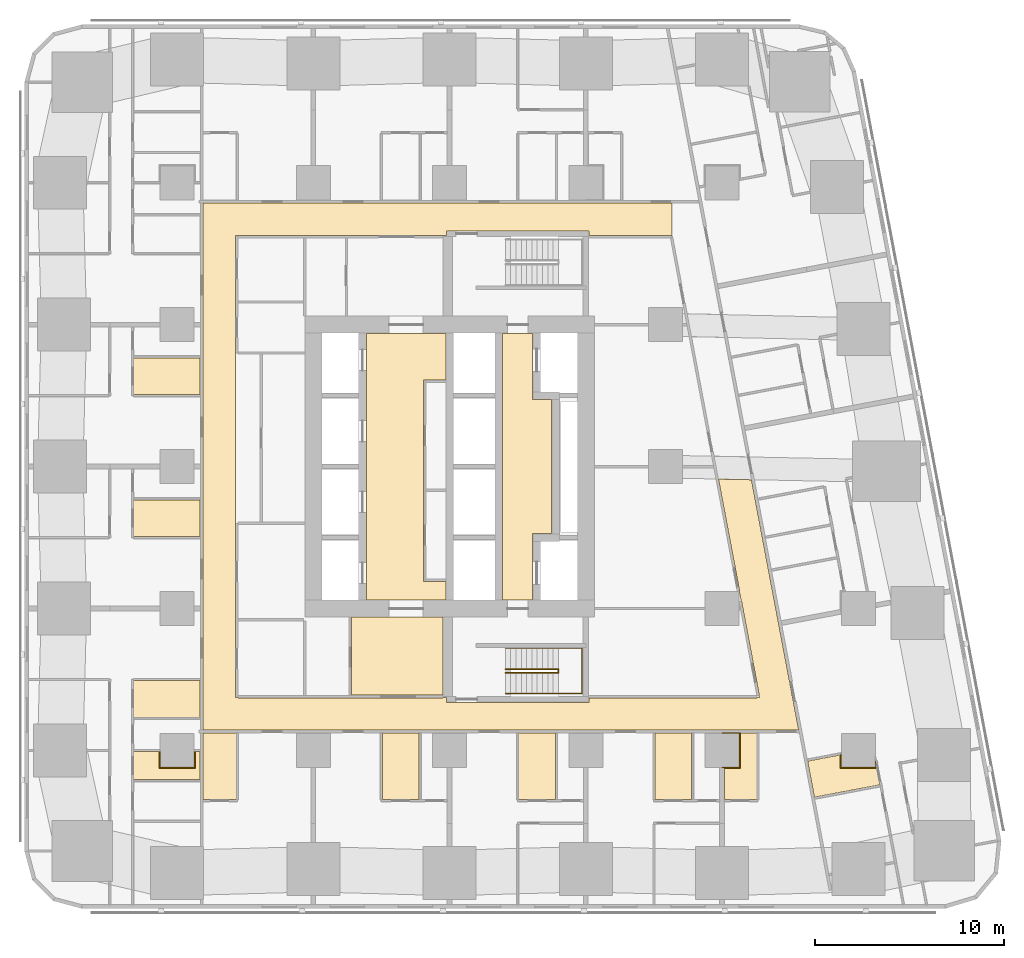
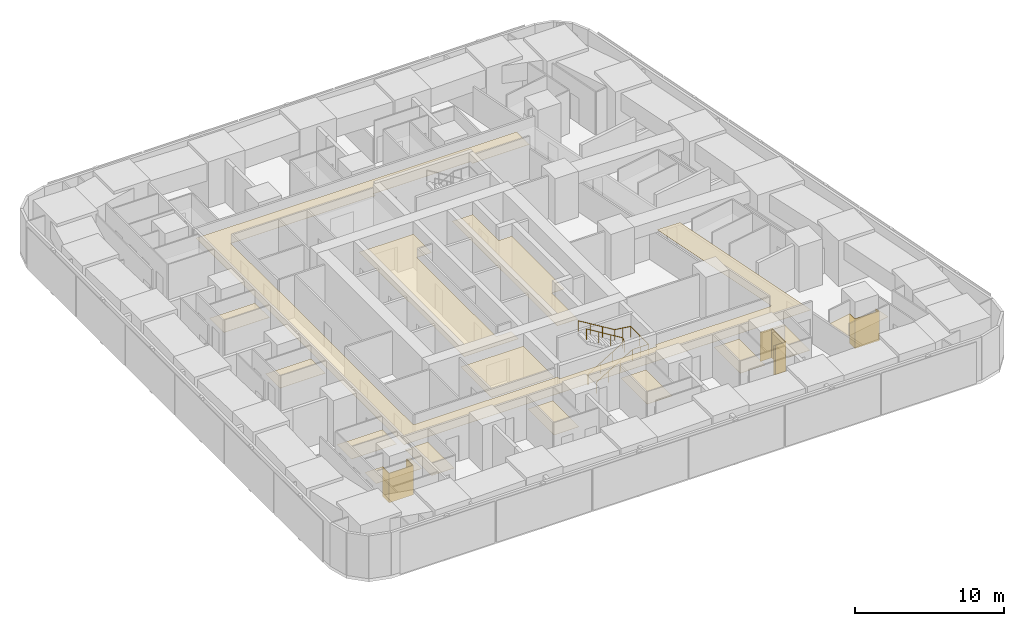
# One storey, part 13 of 15: 17 coverings, 2 railings.
"""IFC4 building model written with IfcOpenShell, lengths in metres."""

from ifc_helpers import new_model, si_unit, direction, frame, origin, origin_2d, place, context, subcontext, project, spatial, polyline, circle, outline, extrude, material, layer, layer_set, type_object, element, save


model = new_model("IFC4")

# Units and contexts
model_context = context("Model", 3, precision=1e-05, world=origin(), true_north=direction((0.0, 1.0)))
body_context = subcontext(model_context, "Body", "Model", "MODEL_VIEW")
ifc_project = project(units=[si_unit("LENGTHUNIT", "METRE"), si_unit("AREAUNIT", "SQUARE_METRE"), si_unit("VOLUMEUNIT", "CUBIC_METRE"), si_unit("PLANEANGLEUNIT", "RADIAN"), si_unit("MASSUNIT", "GRAM", prefix="KILO")], contexts=[model_context])

# Site, building, storey
site_placement = place(None, origin())
site = spatial("IfcSite", under=ifc_project, at=site_placement, CompositionType="ELEMENT")
building_placement = place(site_placement, origin())
building = spatial("IfcBuilding", under=site, at=building_placement, Name="Sheger Commons Tower", CompositionType="ELEMENT")
storey_placement = place(building_placement, frame((0.0, 0.0, 42.5)))
storey = spatial("IfcBuildingStorey", under=building, at=storey_placement, Name="L10", CompositionType="ELEMENT", Elevation=42.5)

# Railings
ifc_material_1 = material(Name="Steel handrail, black powder-coated", Category="steel")
railing_type = type_object("IfcRailingType", Name="HANDRAIL 900", PredefinedType="HANDRAIL", material=ifc_material_1)
railing_1_placement = place(storey_placement, frame((24.550048828125, 11.60009765625, 0.17041015625)))
element("IfcRailing", 1, at=railing_1_placement, inside=storey, type_object=railing_type, Name="Stair S1 handrail L10", PredefinedType="HANDRAIL", context=body_context, shape_type="SweptSolid", body=[
    extrude(circle(Radius=0.02392578125, at=origin_2d()), frame((0.0, 0.0, 0.8759765625), z_axis=(0.854169791009, 0.0, 0.51999420009), x_axis=(0.0, 1.0, 0.0)), (0.0, 0.0, 1.0), 3.278076171875),
    extrude(circle(Radius=0.02392578125, at=origin_2d()), frame((2.800048828125, 0.0, 2.58056640625), z_axis=(0.0, 0.761090297175, 0.648645943136), x_axis=(-1.0, 0.0, 0.0)), (0.0, 0.0, 1.0), 0.2626953125),
    extrude(circle(Radius=0.02392578125, at=origin_2d()), frame((2.800048828125, 0.199951171875, 2.7509765625), z_axis=(-0.854169791009, 0.0, 0.51999420009), x_axis=(0.0, -1.0, 0.0)), (0.0, 0.0, 1.0), 3.278076171875),
    extrude(circle(Radius=0.02099609375, at=origin_2d()), origin(), (0.0, 0.0, 1.0), 0.851806640625),
    extrude(circle(Radius=0.02099609375, at=origin_2d()), frame((0.933349609375, 0.0, 0.568115234375)), (0.0, 0.0, 1.0), 0.851806640625),
    extrude(circle(Radius=0.02099609375, at=origin_2d()), frame((1.86669921875, 0.0, 1.136474609375)), (0.0, 0.0, 1.0), 0.851806640625),
    extrude(circle(Radius=0.02099609375, at=origin_2d()), frame((2.800048828125, 0.0, 1.70458984375)), (0.0, 0.0, 1.0), 0.851806640625),
    extrude(circle(Radius=0.02099609375, at=origin_2d()), frame((2.800048828125, 0.199951171875, 1.875)), (0.0, 0.0, 1.0), 0.851806640625),
    extrude(circle(Radius=0.02099609375, at=origin_2d()), frame((1.86669921875, 0.199951171875, 2.443115234375)), (0.0, 0.0, 1.0), 0.851806640625),
    extrude(circle(Radius=0.02099609375, at=origin_2d()), frame((0.933349609375, 0.199951171875, 3.011474609375)), (0.0, 0.0, 1.0), 0.851806640625),
    extrude(circle(Radius=0.02099609375, at=origin_2d()), frame((0.0, 0.199951171875, 3.57958984375)), (0.0, 0.0, 1.0), 0.851806640625),
])
railing_2_placement = place(storey_placement, frame((24.550048828125, 10.5, 0.17041015625)))
element("IfcRailing", 2, at=railing_2_placement, inside=storey, type_object=railing_type, Name="Stair S1 handrail L10", PredefinedType="HANDRAIL", context=body_context, shape_type="SweptSolid", body=[
    extrude(circle(Radius=0.02392578125, at=origin_2d()), frame((0.0, 0.0, 0.8759765625), z_axis=(0.854169791009, 0.0, 0.51999420009), x_axis=(0.0, 1.0, 0.0)), (0.0, 0.0, 1.0), 3.278076171875),
    extrude(circle(Radius=0.02392578125, at=origin_2d()), frame((2.800048828125, 0.0, 2.58056640625), z_axis=(1.0, 0.0, 0.0), x_axis=(0.0, 1.0, 0.0)), (0.0, 0.0, 1.0), 1.25),
    extrude(circle(Radius=0.02392578125, at=origin_2d()), frame((4.050048828125, 0.0, 2.58056640625), z_axis=(0.0, 1.0, 0.0), x_axis=(-1.0, 0.0, 0.0)), (0.0, 0.0, 1.0), 2.39990234375),
    extrude(circle(Radius=0.02392578125, at=origin_2d()), frame((4.050048828125, 2.39990234375, 2.58056640625), z_axis=(-0.990834877927, 0.0, 0.135078661092), x_axis=(0.0, -1.0, 0.0)), (0.0, 0.0, 1.0), 1.261474609375),
    extrude(circle(Radius=0.02392578125, at=origin_2d()), frame((2.800048828125, 2.39990234375, 2.7509765625), z_axis=(-0.854169791009, 0.0, 0.51999420009), x_axis=(0.0, -1.0, 0.0)), (0.0, 0.0, 1.0), 3.278076171875),
    extrude(circle(Radius=0.02099609375, at=origin_2d()), origin(), (0.0, 0.0, 1.0), 0.851806640625),
    extrude(circle(Radius=0.02099609375, at=origin_2d()), frame((0.933349609375, 0.0, 0.568115234375)), (0.0, 0.0, 1.0), 0.851806640625),
    extrude(circle(Radius=0.02099609375, at=origin_2d()), frame((1.86669921875, 0.0, 1.136474609375)), (0.0, 0.0, 1.0), 0.851806640625),
    extrude(circle(Radius=0.02099609375, at=origin_2d()), frame((2.800048828125, 0.0, 1.70458984375)), (0.0, 0.0, 1.0), 0.851806640625),
    extrude(circle(Radius=0.02099609375, at=origin_2d()), frame((3.425048828125, 0.0, 1.70458984375)), (0.0, 0.0, 1.0), 0.851806640625),
    extrude(circle(Radius=0.02099609375, at=origin_2d()), frame((4.050048828125, 0.0, 1.70458984375)), (0.0, 0.0, 1.0), 0.851806640625),
    extrude(circle(Radius=0.02099609375, at=origin_2d()), frame((4.050048828125, 1.199951171875, 1.70458984375)), (0.0, 0.0, 1.0), 0.851806640625),
    extrude(circle(Radius=0.02099609375, at=origin_2d()), frame((4.050048828125, 2.39990234375, 1.70458984375)), (0.0, 0.0, 1.0), 0.851806640625),
    extrude(circle(Radius=0.02099609375, at=origin_2d()), frame((3.425048828125, 2.39990234375, 1.789794921875)), (0.0, 0.0, 1.0), 0.851806640625),
    extrude(circle(Radius=0.02099609375, at=origin_2d()), frame((2.800048828125, 2.39990234375, 1.875)), (0.0, 0.0, 1.0), 0.851806640625),
    extrude(circle(Radius=0.02099609375, at=origin_2d()), frame((1.86669921875, 2.39990234375, 2.443115234375)), (0.0, 0.0, 1.0), 0.851806640625),
    extrude(circle(Radius=0.02099609375, at=origin_2d()), frame((0.933349609375, 2.39990234375, 3.011474609375)), (0.0, 0.0, 1.0), 0.851806640625),
    extrude(circle(Radius=0.02099609375, at=origin_2d()), frame((0.0, 2.39990234375, 3.57958984375)), (0.0, 0.0, 1.0), 0.851806640625),
])

# Coverings
ifc_material_2 = material(Name="Moisture-resistant gypsum plasterboard 15 mm on a suspended galvanised steel grid", Category="steel")
ifc_layer_1 = layer(ifc_material_2, 0.014892578125)
ifc_layer_set_1 = layer_set([ifc_layer_1], Name="MOISTURE-RESISTANT CEILING 15")
covering_type_1 = type_object("IfcCoveringType", Name="MOISTURE-RESISTANT CEILING 15", PredefinedType="CEILING", material=ifc_layer_set_1)
covering_1_placement = place(storey_placement, frame((0.0, 0.0, 2.39990234375)))
element("IfcCovering", 3, at=covering_1_placement, inside=storey, type_object=covering_type_1, Name="L10-01.B1 ceiling", PredefinedType="CEILING", context=body_context, shape_type="SweptSolid", body=[
    extrude(outline(polyline([(4.905029296875, 9.2548828125), (8.419921875, 9.2548828125), (8.419921875, 11.195068359375), (4.905029296875, 11.195068359375), (4.905029296875, 9.2548828125)])), origin(), (0.0, 0.0, 1.0), 0.01513671875),
])
covering_2_placement = place(storey_placement, frame((0.0, 0.0, 2.39990234375)))
element("IfcCovering", 4, at=covering_2_placement, inside=storey, type_object=covering_type_1, Name="L10-01.B2 ceiling", PredefinedType="CEILING", context=body_context, shape_type="SweptSolid", body=[
    extrude(outline(polyline([(4.905029296875, 5.955078125), (8.419921875, 5.955078125), (8.419921875, 7.445068359375), (8.10498046875, 7.445068359375), (8.10498046875, 6.594970703125), (6.294921875, 6.594970703125), (6.294921875, 7.445068359375), (4.905029296875, 7.445068359375), (4.905029296875, 5.955078125)])), origin(), (0.0, 0.0, 1.0), 0.01513671875),
])
covering_3_placement = place(storey_placement, frame((0.0, 0.0, 2.39990234375)))
element("IfcCovering", 5, at=covering_3_placement, inside=storey, type_object=covering_type_1, Name="L10-02.B1 ceiling", PredefinedType="CEILING", context=body_context, shape_type="SweptSolid", body=[
    extrude(outline(polyline([(4.905029296875, 18.804931640625), (8.419921875, 18.804931640625), (8.419921875, 20.7451171875), (4.905029296875, 20.7451171875), (4.905029296875, 18.804931640625)])), origin(), (0.0, 0.0, 1.0), 0.01513671875),
])
covering_4_placement = place(storey_placement, frame((0.0, 0.0, 2.39990234375)))
element("IfcCovering", 6, at=covering_4_placement, inside=storey, type_object=covering_type_1, Name="L10-03.B1 ceiling", PredefinedType="CEILING", context=body_context, shape_type="SweptSolid", body=[
    extrude(outline(polyline([(4.905029296875, 26.304931640625), (8.419921875, 26.304931640625), (8.419921875, 28.2451171875), (4.905029296875, 28.2451171875), (4.905029296875, 26.304931640625)])), origin(), (0.0, 0.0, 1.0), 0.01513671875),
])
covering_5_placement = place(storey_placement, frame((0.0, 0.0, 2.39990234375)))
element("IfcCovering", 7, at=covering_5_placement, inside=storey, type_object=covering_type_1, Name="L10-05.B1 ceiling", PredefinedType="CEILING", context=body_context, shape_type="SweptSolid", body=[
    extrude(outline(polyline([(8.580078125, 4.905029296875), (10.3349609375, 4.905029296875), (10.3349609375, 8.419921875), (8.580078125, 8.419921875), (8.580078125, 4.905029296875)])), origin(), (0.0, 0.0, 1.0), 0.01513671875),
])
covering_6_placement = place(storey_placement, frame((0.0, 0.0, 2.39990234375)))
element("IfcCovering", 8, at=covering_6_placement, inside=storey, type_object=covering_type_1, Name="L10-06.B1 ceiling", PredefinedType="CEILING", context=body_context, shape_type="SweptSolid", body=[
    extrude(outline(polyline([(18.054931640625, 4.905029296875), (19.9951171875, 4.905029296875), (19.9951171875, 8.419921875), (18.054931640625, 8.419921875), (18.054931640625, 4.905029296875)])), origin(), (0.0, 0.0, 1.0), 0.01513671875),
])
covering_7_placement = place(storey_placement, frame((0.0, 0.0, 2.39990234375)))
element("IfcCovering", 9, at=covering_7_placement, inside=storey, type_object=covering_type_1, Name="L10-07.B1 ceiling", PredefinedType="CEILING", context=body_context, shape_type="SweptSolid", body=[
    extrude(outline(polyline([(25.2548828125, 4.905029296875), (27.195068359375, 4.905029296875), (27.195068359375, 8.419921875), (25.2548828125, 8.419921875), (25.2548828125, 4.905029296875)])), origin(), (0.0, 0.0, 1.0), 0.01513671875),
])
covering_8_placement = place(storey_placement, frame((0.0, 0.0, 2.39990234375)))
element("IfcCovering", 10, at=covering_8_placement, inside=storey, type_object=covering_type_1, Name="L10-08.B1 ceiling", PredefinedType="CEILING", context=body_context, shape_type="SweptSolid", body=[
    extrude(outline(polyline([(32.455078125, 4.905029296875), (34.39501953125, 4.905029296875), (34.39501953125, 8.419921875), (32.455078125, 8.419921875), (32.455078125, 4.905029296875)])), origin(), (0.0, 0.0, 1.0), 0.01513671875),
])
covering_9_placement = place(storey_placement, frame((0.0, 0.0, 2.39990234375)))
element("IfcCovering", 11, at=covering_9_placement, inside=storey, type_object=covering_type_1, Name="L10-09.B1 ceiling", PredefinedType="CEILING", context=body_context, shape_type="SweptSolid", body=[
    extrude(outline(polyline([(36.1298828125, 4.905029296875), (37.8349609375, 4.905029296875), (37.8349609375, 8.419921875), (36.0, 8.419921875), (36.0, 8.405029296875), (36.905029296875, 8.405029296875), (36.905029296875, 6.594970703125), (36.1298828125, 6.594970703125), (36.1298828125, 4.905029296875)])), origin(), (0.0, 0.0, 1.0), 0.01513671875),
])
covering_10_placement = place(storey_placement, frame((0.0, 0.0, 2.39990234375)))
element("IfcCovering", 12, at=covering_10_placement, inside=storey, type_object=covering_type_1, Name="L10-13.B1 ceiling", PredefinedType="CEILING", context=body_context, shape_type="SweptSolid", body=[
    extrude(outline(polyline([(40.881103515625, 5.031982421875), (44.333984375, 5.68408203125), (44.10693359375, 6.885009765625), (44.10498046875, 6.885009765625), (44.10498046875, 6.594970703125), (42.294921875, 6.594970703125), (42.294921875, 7.27294921875), (40.52099609375, 6.93798828125), (40.881103515625, 5.031982421875)])), origin(), (0.0, 0.0, 1.0), 0.01513671875),
])
ifc_material_3 = material(Name="Gypsum plasterboard 15 mm on a suspended steel grid", Category="steel")
ifc_layer_2 = layer(ifc_material_3, 0.014892578125)
ifc_layer_set_2 = layer_set([ifc_layer_2], Name="SUSPENDED CEILING 15")
covering_type_2 = type_object("IfcCoveringType", Name="SUSPENDED CEILING 15", PredefinedType="CEILING", material=ifc_layer_set_2)
covering_11_placement = place(storey_placement, frame((0.0, 0.0, 2.699951171875)))
element("IfcCovering", 13, at=covering_11_placement, inside=storey, type_object=covering_type_2, Name="L10-CO ceiling", PredefinedType="CEILING", context=body_context, shape_type="SweptSolid", body=[
    extrude(outline(polyline([(8.580078125, 8.580078125), (40.048095703125, 8.580078125), (37.551025390625, 21.802978515625), (35.81103515625, 21.837890625), (36.927978515625, 15.9208984375), (36.910888671875, 15.9169921875), (37.010009765625, 15.39501953125), (37.027099609375, 15.39794921875), (37.967041015625, 10.4208984375), (37.949951171875, 10.4169921875), (37.971923828125, 10.300048828125), (37.841064453125, 10.300048828125), (37.841064453125, 10.281982421875), (28.955078125, 10.281982421875), (28.955078125, 10.044921875), (21.445068359375, 10.044921875), (21.445068359375, 10.300048828125), (21.2548828125, 10.300048828125), (21.2548828125, 10.281982421875), (10.407958984375, 10.281982421875), (10.407958984375, 10.294921875), (10.281982421875, 10.294921875), (10.281982421875, 19.5048828125), (10.300048828125, 19.5048828125), (10.300048828125, 28.4951171875), (10.281982421875, 28.4951171875), (10.281982421875, 34.705078125), (10.407958984375, 34.705078125), (10.407958984375, 34.718017578125), (21.2548828125, 34.718017578125), (21.2548828125, 34.699951171875), (21.445068359375, 34.699951171875), (21.445068359375, 34.955078125), (28.955078125, 34.955078125), (28.955078125, 34.718017578125), (33.3359375, 34.718017578125), (33.3359375, 34.699951171875), (33.361083984375, 34.699951171875), (33.361083984375, 36.419921875), (8.580078125, 36.419921875), (8.580078125, 8.580078125)])), origin(), (0.0, 0.0, 1.0), 0.01513671875),
])
covering_12_placement = place(storey_placement, frame((0.0, 0.0, 2.699951171875)))
element("IfcCovering", 14, at=covering_12_placement, inside=storey, type_object=covering_type_2, Name="L10-SVS1 ceiling", PredefinedType="CEILING", context=body_context, shape_type="SweptSolid", body=[
    extrude(outline(polyline([(16.406982421875, 10.41796875), (21.2451171875, 10.41796875), (21.2451171875, 14.544921875), (16.406982421875, 14.544921875), (16.406982421875, 10.41796875)])), origin(), (0.0, 0.0, 1.0), 0.01513671875),
])
covering_13_placement = place(storey_placement, frame((0.0, 0.0, 2.699951171875)))
element("IfcCovering", 15, at=covering_13_placement, inside=storey, type_object=covering_type_2, Name="L10-LL ceiling", PredefinedType="CEILING", context=body_context, shape_type="SweptSolid", body=[
    extrude(outline(polyline([(17.205078125, 15.455078125), (21.39990234375, 15.455078125), (21.39990234375, 16.43310546875), (20.35791015625, 16.43310546875), (20.23291015625, 16.43310546875), (20.23291015625, 27.06689453125), (20.35791015625, 27.06689453125), (21.39990234375, 27.06689453125), (21.39990234375, 29.544921875), (17.205078125, 29.544921875), (17.205078125, 15.455078125)])), origin(), (0.0, 0.0, 1.0), 0.01513671875),
])
covering_14_placement = place(storey_placement, frame((0.0, 0.0, 2.699951171875)))
element("IfcCovering", 16, at=covering_14_placement, inside=storey, type_object=covering_type_2, Name="L10-FL ceiling", PredefinedType="CEILING", context=body_context, shape_type="SweptSolid", body=[
    extrude(outline(polyline([(24.405029296875, 15.455078125), (25.9951171875, 15.455078125), (25.9951171875, 18.955078125), (26.9951171875, 18.955078125), (26.9951171875, 26.044921875), (25.9951171875, 26.044921875), (25.9951171875, 29.544921875), (24.405029296875, 29.544921875), (24.405029296875, 15.455078125)])), origin(), (0.0, 0.0, 1.0), 0.01513671875),
])
ifc_material_4 = material(Name="Moisture-resistant gypsum board 12.5 mm on 25 mm treated timber battens, tanked and tiled", Category="wood")
ifc_layer_3 = layer(ifc_material_4, 0.050048828125)
ifc_layer_set_3 = layer_set([ifc_layer_3], Name="WET-ROOM COLUMN LINING")
covering_type_3 = type_object("IfcCoveringType", Name="WET-ROOM COLUMN LINING", PredefinedType="CLADDING", material=ifc_layer_set_3)
covering_15_placement = place(storey_placement, origin())
element("IfcCovering", 17, at=covering_15_placement, inside=storey, type_object=covering_type_3, Name="Shower room column lining C8 L10", PredefinedType="CLADDING", context=body_context, shape_type="SweptSolid", body=[
    extrude(outline(polyline([(6.300048828125, 7.5), (6.300048828125, 6.60009765625), (8.10009765625, 6.60009765625), (8.10009765625, 7.5), (8.10107421875, 7.5), (8.10107421875, 7.449951171875), (8.14990234375, 7.449951171875), (8.14990234375, 6.550048828125), (6.25, 6.550048828125), (6.25, 7.449951171875), (6.299072265625, 7.449951171875), (6.299072265625, 7.5), (6.300048828125, 7.5)])), origin(), (0.0, 0.0, 1.0), 2.39990234375),
])
covering_16_placement = place(storey_placement, origin())
element("IfcCovering", 18, at=covering_16_placement, inside=storey, type_object=covering_type_3, Name="Shower room column lining C8 L10", PredefinedType="CLADDING", context=body_context, shape_type="SweptSolid", body=[
    extrude(outline(polyline([(36.949951171875, 6.550048828125), (36.125, 6.550048828125), (36.125, 6.59912109375), (36.0, 6.59912109375), (36.0, 6.60009765625), (36.89990234375, 6.60009765625), (36.89990234375, 8.39990234375), (36.0, 8.39990234375), (36.0, 8.425048828125), (36.949951171875, 8.425048828125), (36.949951171875, 6.550048828125)])), origin(), (0.0, 0.0, 1.0), 2.39990234375),
])
covering_17_placement = place(storey_placement, origin())
element("IfcCovering", 19, at=covering_17_placement, inside=storey, type_object=covering_type_3, Name="Bathroom column lining C8 L10", PredefinedType="CLADDING", context=body_context, shape_type="SweptSolid", body=[
    extrude(outline(polyline([(42.300048828125, 7.3310546875), (42.300048828125, 6.60009765625), (44.10009765625, 6.60009765625), (44.10009765625, 6.949951171875), (44.14990234375, 6.68603515625), (44.14990234375, 6.550048828125), (42.25, 6.550048828125), (42.25, 7.27001953125), (42.299072265625, 7.279052734375), (42.2900390625, 7.3291015625), (42.300048828125, 7.3310546875)])), origin(), (0.0, 0.0, 1.0), 2.39990234375),
])

save(model, "model.ifc")
